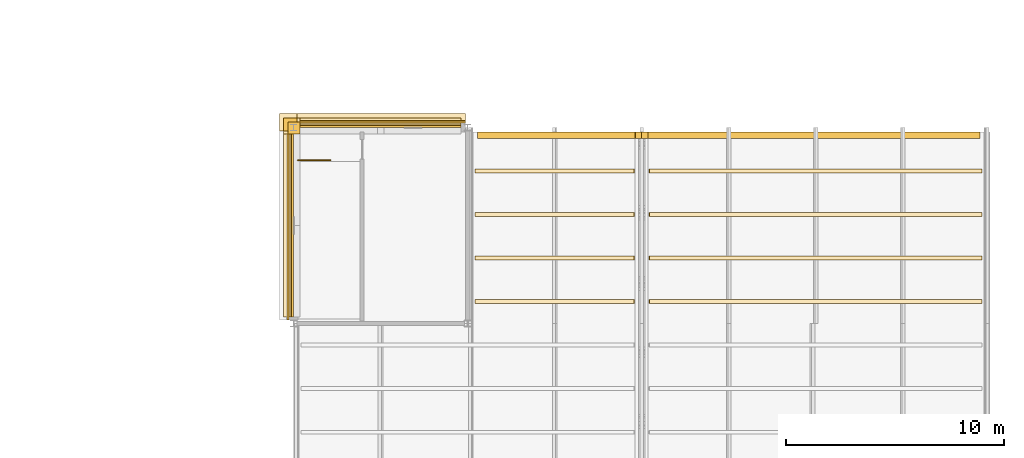
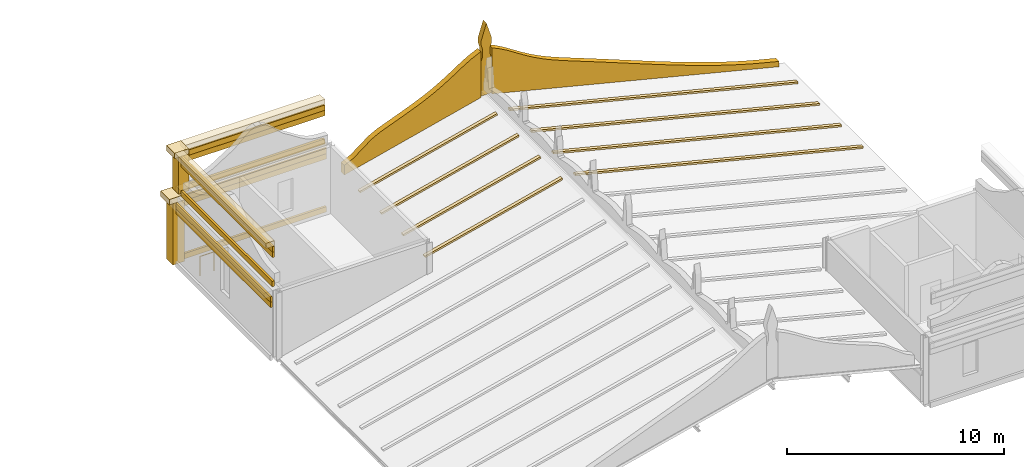
# One storey, part 107 of 111: 29 coverings, 1 railing.
"""IFC4 building model written with IfcOpenShell, lengths in metres."""

from ifc_helpers import new_model, si_unit, direction, frame, origin, origin_2d, place, context, subcontext, project, spatial, polyline, rectangle, circle, outline, extrude, material, layer, layer_set, type_object, element, save


model = new_model("IFC4")

# Units and contexts
model_context = context("Model", 3, precision=1e-05, world=origin(), true_north=direction((0.0, 1.0)))
body_context = subcontext(model_context, "Body", "Model", "MODEL_VIEW")
ifc_project = project(units=[si_unit("LENGTHUNIT", "METRE"), si_unit("AREAUNIT", "SQUARE_METRE"), si_unit("VOLUMEUNIT", "CUBIC_METRE"), si_unit("PLANEANGLEUNIT", "RADIAN"), si_unit("MASSUNIT", "GRAM", prefix="KILO")], contexts=[model_context])

# Site, building, storey
site_placement = place(None, origin())
site = spatial("IfcSite", under=ifc_project, at=site_placement, CompositionType="ELEMENT")
building_placement = place(site_placement, origin())
building = spatial("IfcBuilding", under=site, at=building_placement, Name="Kallimachos Central Library", CompositionType="ELEMENT")
storey_placement = place(building_placement, frame((0.0, 0.0, 14.39990234375)))
storey = spatial("IfcBuildingStorey", under=building, at=storey_placement, Name="L03", CompositionType="ELEMENT", Elevation=14.39990234375)

# Coverings
ifc_material_1 = material(Name="Glazed ceramic tile on stone", Category="masonry")
ifc_layer_1 = layer(ifc_material_1, 0.300048828125)
ifc_layer_set_1 = layer_set([ifc_layer_1], Name="Ceramic gable crest 300")
covering_type_1 = type_object("IfcCoveringType", Name="Ceramic gable crest 300", PredefinedType="CLADDING", material=ifc_layer_set_1)
covering_1_placement = place(storey_placement, frame((146.449951171875, 113.800048828125, 2.696533203125), z_axis=(0.0, 1.0, 0.0), x_axis=(0.899928137713, 0.0, 0.436038240241)))
element("IfcCovering", 1, at=covering_1_placement, inside=storey, type_object=covering_type_1, Name="Gable crest north west", PredefinedType="CLADDING", context=body_context, shape_type="SweptSolid", body=[
    extrude(outline(polyline([(0.0, 0.0), (0.5347106637847696, 2.7755575615628914e-17), (1.124039361969209, -0.11216485354760664), (1.7202808125849125, -0.23915666594946094), (2.2619110285219497, -0.2534377521192196), (2.776821127686384, -0.21257187477191009), (3.291518317553826, -0.17126657938860812), (3.807067144609239, -0.1317189561492762), (4.326242229434534, -0.09909556683732923), (4.852223612042597, -0.08107942736163354), (5.3894891873912805, -0.08635244379354434), (5.941452303953474, -0.12139943202445425), (6.506183178614236, -0.18335737509940708), (7.076023876402826, -0.25586135103818197), (7.6362836558267375, -0.30859151535729135), (8.169503954532559, -0.3055155891053434), (8.202949441260904, -0.3028748449976151), (7.077617352005189, 2.0196691842411427), (7.046088048949779, 2.0130736778094818), (6.560559432770358, 1.9115681114951966), (6.075030816590936, 1.8100625451809118), (5.589502200411515, 1.708556978866627), (5.104080038880591, 1.6068317035343453), (4.618331713683173, 1.505219682571564), (4.132803097503753, 1.4037141162572793), (3.6472744813243314, 1.302208549942994), (3.1616326107754107, 1.2003768199622167), (2.6761039945959895, 1.0988712536479315), (2.1905753784165682, 0.9973656873336466), (1.7050467622371477, 0.8958601210193616), (1.2195181460577267, 0.7943545547050768), (0.734095984526802, 0.6926292793727955), (0.2483476593293848, 0.5910172584100141), (-0.2371809568500362, 0.48951169209572915), (0.0, 0.0)])), origin(), (0.0, 0.0, -1.0), 0.300048828125),
])
covering_2_placement = place(storey_placement, frame((154.300048828125, 113.800048828125, 6.5458984375), z_axis=(0.0, 1.0, 0.0), x_axis=(0.914976424335, 0.0, -0.403507302177)))
element("IfcCovering", 2, at=covering_2_placement, inside=storey, type_object=covering_type_1, Name="Gable crest north east", PredefinedType="CLADDING", context=body_context, shape_type="SweptSolid", body=[
    extrude(outline(polyline([(0.0, 0.0), (0.3618177241457105, 0.0), (0.9124658375792205, 0.05547540100417803), (1.4778644718883722, 0.14500351778012166), (2.043164593672578, 0.23430825163996782), (2.598442795778534, 0.3002826497007284), (3.1400013990508375, 0.33575210078107687), (3.669738499329663, 0.34441560192972553), (4.19149608508789, 0.3349850868744766), (4.709017632273455, 0.31594910642703544), (5.224962979059889, 0.2933389993220339), (5.740908325846323, 0.27072889221703234), (6.257372593123691, 0.248690421335378), (6.774204552634637, 0.22809076047525423), (7.291430562245364, 0.20838463127952034), (7.809175492347026, 0.18925013830713322), (8.32669703953259, 0.17021415785969207), (8.843923049143317, 0.15050802866395818), (9.360656496129318, 0.12968498488773683), (9.876700355440697, 0.10729826069883286), (10.391660576977674, 0.08245432443285639), (10.905438648215304, 0.05492979317371027), (11.417962414494847, 0.02395600564815581), (11.928588084934216, -0.01071677892611067), (12.437144992349726, -0.050080604738425016), (12.943856519657473, -0.09423398431373187), (13.447783338400537, -0.14409680718262852), (13.948951806445125, -0.20021435170225477), (14.447263411266288, -0.26281000078870864), (14.94261964033908, -0.3321071373580873), (15.434035368414046, -0.4103395905713665), (15.923211666281468, -0.4942551292120294), (16.412066068707848, -0.578295538243843), (16.533137961866057, -0.3037579343600152), (16.044283559439677, -0.21971752532820155), (15.5552057740972, -0.13557860377144149), (15.066449884195766, -0.051314811823529816), (14.577595481769386, 0.03272559720828383), (14.088741079343006, 0.11676600624009836), (13.599886676916626, 0.200806415271912), (13.111032274490245, 0.28484682430372565), (12.622053001672715, 0.36920912877658285), (12.133198599246336, 0.4532495378083965), (11.644344196819958, 0.537289946840211), (11.155266411477479, 0.6214288683969702), (10.666510521576045, 0.7056926603448819), (10.177656119149667, 0.7897330693766955), (9.688801716723287, 0.8737734784085092), (9.199947314296907, 0.9578138874403237), (8.711092911870526, 1.0418542964721373), (8.222238509444148, 1.1258947055039514), (7.733259236626616, 1.2102570099768082), (7.244404834200237, 1.2942974190086223), (6.755550431773857, 1.3783378280404364), (6.266472646431381, 1.4624767495971955), (5.777618244005001, 1.5465171586290096), (5.288862354103567, 1.6307809505769209), (4.800007951677188, 1.714821359608735), (4.3111535492508075, 1.798861768640549), (3.8222991468244283, 1.8829021776723627), (3.3335432569229946, 1.9671659696202743), (2.844366959055572, 2.0510815082609364), (2.355611069154138, 2.135345300208848), (1.8667566667277584, 2.2193857092406617), (1.3776788813852812, 2.3035246307974213), (1.0413759012004948, 2.361380806066674), (0.0, 0.0)])), origin(), (0.0, 0.0, -1.0), 0.300048828125),
])
ifc_material_2 = material(Name="Glazed ceramic roll tile")
ifc_layer_2 = layer(ifc_material_2, 0.10009765625)
ifc_layer_set_2 = layer_set([ifc_layer_2], Name="Ceramic roll tile rib 180")
covering_type_2 = type_object("IfcCoveringType", Name="Ceramic roll tile rib 180", PredefinedType="ROOFING", material=ifc_layer_set_2)
for number, where, z_axis, x_axis, name in (
    (3, (146.35009765625, 105.909912109375, 2.230712890625), (-0.242535625036, 0.0, 0.970142500145), (0.970142500145, 0.0, 0.242535625036), "Roll tile rib"),
    (4, (146.35009765625, 107.909912109375, 2.230712890625), (-0.242535625036, 0.0, 0.970142500145), (0.970142500145, 0.0, 0.242535625036), "Roll tile rib"),
    (5, (146.35009765625, 109.909912109375, 2.230712890625), (-0.242535625036, 0.0, 0.970142500145), (0.970142500145, 0.0, 0.242535625036), "Roll tile rib"),
    (6, (146.35009765625, 111.909912109375, 2.230712890625), (-0.242535625036, 0.0, 0.970142500145), (0.970142500145, 0.0, 0.242535625036), "Roll tile rib"),
):
    element("IfcCovering", number, at=place(storey_placement, frame(where, z_axis=z_axis, x_axis=x_axis)), inside=storey, type_object=covering_type_2, Name=name, PredefinedType="ROOFING", context=body_context, shape_type="SweptSolid", body=[
        extrude(outline(polyline([(0.0, 0.0), (7.5244664432353545, 0.0), (7.5244664432353545, 0.18017578125), (0.0, 0.18017578125), (0.0, 0.0)])), origin(), (0.0, 0.0, -1.0), 0.10009765625),
    ])
for number, where, z_axis, x_axis, name in (
    (7, (154.35009765625, 105.909912109375, 4.0556640625), (0.242535625036, 0.0, 0.970142500145), (0.970142500145, 0.0, -0.242535625036), "Roll tile rib"),
    (8, (154.35009765625, 107.909912109375, 4.0556640625), (0.242535625036, 0.0, 0.970142500145), (0.970142500145, 0.0, -0.242535625036), "Roll tile rib"),
    (9, (154.35009765625, 109.909912109375, 4.0556640625), (0.242535625036, 0.0, 0.970142500145), (0.970142500145, 0.0, -0.242535625036), "Roll tile rib"),
    (10, (154.35009765625, 111.909912109375, 4.0556640625), (0.242535625036, 0.0, 0.970142500145), (0.970142500145, 0.0, -0.242535625036), "Roll tile rib"),
):
    element("IfcCovering", number, at=place(storey_placement, frame(where, z_axis=z_axis, x_axis=x_axis)), inside=storey, type_object=covering_type_2, Name=name, PredefinedType="ROOFING", context=body_context, shape_type="SweptSolid", body=[
        extrude(outline(polyline([(0.0, 0.0), (15.770677694470676, 0.0), (15.770677694470676, 0.18017578125), (0.0, 0.18017578125), (0.0, 0.0)])), origin(), (0.0, 0.0, -1.0), 0.10009765625),
    ])
ifc_material_3 = material(Name="Glazed ceramic frieze, green")
ifc_layer_3 = layer(ifc_material_3, 0.10009765625)
ifc_layer_set_3 = layer_set([ifc_layer_3], Name="Glazed ceramic frieze, green")
covering_type_3 = type_object("IfcCoveringType", Name="Glazed ceramic frieze, green", PredefinedType="CLADDING", material=ifc_layer_set_3)
covering_3_placement = place(storey_placement, frame((137.75, 109.5, 3.1298828125), z_axis=(0.0, 0.0, 1.0), x_axis=(1.0, 0.0, 0.0)))
element("IfcCovering", 11, at=covering_3_placement, inside=storey, type_object=covering_type_3, Name="Glazed ceramic frieze, green -L03-001", PredefinedType="CLADDING", context=body_context, shape_type="SweptSolid", body=[
    extrude(rectangle(XDim=0.10009765625, YDim=8.699951171875, at=origin_2d()), origin(), (0.0, 0.0, 1.0), 0.300048828125),
])
covering_4_placement = place(storey_placement, frame((142.02490234375, 114.25, 3.1298828125), z_axis=(0.0, 0.0, 1.0), x_axis=(1.0, 0.0, 0.0)))
element("IfcCovering", 12, at=covering_4_placement, inside=storey, type_object=covering_type_3, Name="Glazed ceramic frieze, green -L03-004", PredefinedType="CLADDING", context=body_context, shape_type="SweptSolid", body=[
    extrude(rectangle(XDim=7.75, YDim=0.10009765625, at=origin_2d()), origin(), (0.0, 0.0, 1.0), 0.300048828125),
])
covering_5_placement = place(storey_placement, frame((137.949951171875, 109.5, 5.7802734375), z_axis=(0.0, 0.0, 1.0), x_axis=(1.0, 0.0, 0.0)))
element("IfcCovering", 13, at=covering_5_placement, inside=storey, type_object=covering_type_3, Name="Glazed ceramic frieze, green -L03-016", PredefinedType="CLADDING", context=body_context, shape_type="SweptSolid", body=[
    extrude(rectangle(XDim=0.10009765625, YDim=8.39990234375, at=origin_2d()), origin(), (0.0, 0.0, 1.0), 0.300048828125),
])
covering_6_placement = place(storey_placement, frame((142.0, 114.050048828125, 5.751953125), z_axis=(0.0, 0.0, 1.0), x_axis=(1.0, 0.0, 0.0)))
element("IfcCovering", 14, at=covering_6_placement, inside=storey, type_object=covering_type_3, Name="Glazed ceramic frieze, green -L03-017", PredefinedType="CLADDING", context=body_context, shape_type="SweptSolid", body=[
    extrude(rectangle(XDim=7.39990234375, YDim=0.10009765625, at=origin_2d()), origin(), (0.0, 0.0, 1.0), 0.300048828125),
])
ifc_material_4 = material(Name="Glazed ceramic frieze, ochre")
ifc_layer_4 = layer(ifc_material_4, 0.10009765625)
ifc_layer_set_4 = layer_set([ifc_layer_4], Name="Glazed ceramic frieze, ochre")
covering_type_4 = type_object("IfcCoveringType", Name="Glazed ceramic frieze, ochre", PredefinedType="CLADDING", material=ifc_layer_set_4)
covering_7_placement = place(storey_placement, frame((137.75, 109.5, 2.830078125), z_axis=(0.0, 0.0, 1.0), x_axis=(1.0, 0.0, 0.0)))
element("IfcCovering", 15, at=covering_7_placement, inside=storey, type_object=covering_type_4, Name="Glazed ceramic frieze, ochre -L03-001", PredefinedType="CLADDING", context=body_context, shape_type="SweptSolid", body=[
    extrude(rectangle(XDim=0.10009765625, YDim=8.699951171875, at=origin_2d()), origin(), (0.0, 0.0, 1.0), 0.300048828125),
])
covering_8_placement = place(storey_placement, frame((142.02490234375, 114.25, 2.830078125), z_axis=(0.0, 0.0, 1.0), x_axis=(1.0, 0.0, 0.0)))
element("IfcCovering", 16, at=covering_8_placement, inside=storey, type_object=covering_type_4, Name="Glazed ceramic frieze, ochre -L03-004", PredefinedType="CLADDING", context=body_context, shape_type="SweptSolid", body=[
    extrude(rectangle(XDim=7.75, YDim=0.10009765625, at=origin_2d()), origin(), (0.0, 0.0, 1.0), 0.300048828125),
])
covering_9_placement = place(storey_placement, frame((137.949951171875, 109.5, 5.47998046875), z_axis=(0.0, 0.0, 1.0), x_axis=(1.0, 0.0, 0.0)))
element("IfcCovering", 17, at=covering_9_placement, inside=storey, type_object=covering_type_4, Name="Glazed ceramic frieze, ochre -L03-016", PredefinedType="CLADDING", context=body_context, shape_type="SweptSolid", body=[
    extrude(rectangle(XDim=0.10009765625, YDim=8.39990234375, at=origin_2d()), origin(), (0.0, 0.0, 1.0), 0.300048828125),
])
covering_10_placement = place(storey_placement, frame((142.0, 114.050048828125, 5.45166015625), z_axis=(0.0, 0.0, 1.0), x_axis=(1.0, 0.0, 0.0)))
element("IfcCovering", 18, at=covering_10_placement, inside=storey, type_object=covering_type_4, Name="Glazed ceramic frieze, ochre -L03-017", PredefinedType="CLADDING", context=body_context, shape_type="SweptSolid", body=[
    extrude(rectangle(XDim=7.39990234375, YDim=0.10009765625, at=origin_2d()), origin(), (0.0, 0.0, 1.0), 0.300048828125),
])

# Railing
ifc_material_5 = material(Name="Steel S355J2", Category="steel")
railing_type = type_object("IfcRailingType", Name="Stair guard 1100", PredefinedType="GUARDRAIL", material=ifc_material_5)
railing_placement = place(storey_placement, frame((138.199951171875, 112.5, 0.0)))
element("IfcRailing", 19, at=railing_placement, inside=storey, type_object=railing_type, Name="L03 ST8 top well guard 1", PredefinedType="GUARDRAIL", context=body_context, shape_type="SweptSolid", body=[
    extrude(circle(Radius=0.02392578125, at=origin_2d()), frame((0.0, 0.0, 1.076171875), z_axis=(1.0, 0.0, 0.0), x_axis=(0.0, 1.0, 0.0)), (0.0, 0.0, 1.0), 1.5),
    extrude(circle(Radius=0.02099609375, at=origin_2d()), origin(), (0.0, 0.0, 1.0), 1.052001953125),
    extrude(circle(Radius=0.02099609375, at=origin_2d()), frame((0.75, 0.0, 0.0)), (0.0, 0.0, 1.0), 1.052001953125),
    extrude(circle(Radius=0.02099609375, at=origin_2d()), frame((1.5, 0.0, 0.0)), (0.0, 0.0, 1.0), 1.052001953125),
])

# Coverings
ifc_material_6 = material(Name="Pentelic marble attic moulding", Category="masonry")
ifc_layer_5 = layer(ifc_material_6, 0.1201171875)
ifc_layer_set_5 = layer_set([ifc_layer_5], Name="Stone attic moulding 300")
covering_type_5 = type_object("IfcCoveringType", Name="Stone attic moulding 300", PredefinedType="MOLDING", material=ifc_layer_set_5)
covering_11_placement = place(storey_placement, frame((142.02490234375, 114.260009765625, -0.14990234375), z_axis=(0.0, 0.0, 1.0), x_axis=(1.0, 0.0, 0.0)))
element("IfcCovering", 20, at=covering_11_placement, inside=storey, type_object=covering_type_5, Name="Stone attic moulding 300 -L03-004", PredefinedType="MOLDING", context=body_context, shape_type="SweptSolid", body=[
    extrude(rectangle(XDim=7.75, YDim=0.1201171875, at=origin_2d()), origin(), (0.0, 0.0, 1.0), 0.300048828125),
])
covering_12_placement = place(storey_placement, frame((137.93994140625, 109.5, 3.85009765625), z_axis=(0.0, 0.0, 1.0), x_axis=(1.0, 0.0, 0.0)))
element("IfcCovering", 21, at=covering_12_placement, inside=storey, type_object=covering_type_5, Name="Stone attic moulding 300 -L03-016", PredefinedType="MOLDING", context=body_context, shape_type="SweptSolid", body=[
    extrude(rectangle(XDim=0.1201171875, YDim=8.39990234375, at=origin_2d()), origin(), (0.0, 0.0, 1.0), 0.300048828125),
])
covering_13_placement = place(storey_placement, frame((142.0, 114.06005859375, 3.85009765625), z_axis=(0.0, 0.0, 1.0), x_axis=(1.0, 0.0, 0.0)))
element("IfcCovering", 22, at=covering_13_placement, inside=storey, type_object=covering_type_5, Name="Stone attic moulding 300 -L03-017", PredefinedType="MOLDING", context=body_context, shape_type="SweptSolid", body=[
    extrude(rectangle(XDim=7.39990234375, YDim=0.1201171875, at=origin_2d()), origin(), (0.0, 0.0, 1.0), 0.300048828125),
])
ifc_material_7 = material(Name="Pentelic marble cornice", Category="masonry")
ifc_layer_6 = layer(ifc_material_7, 0.449951171875)
ifc_layer_set_6 = layer_set([ifc_layer_6], Name="Stone cornice 450")
covering_type_6 = type_object("IfcCoveringType", Name="Stone cornice 450", PredefinedType="MOLDING", material=ifc_layer_set_6)
covering_14_placement = place(storey_placement, frame((142.02490234375, 114.425048828125, 3.4501953125), z_axis=(0.0, 0.0, 1.0), x_axis=(1.0, 0.0, 0.0)))
element("IfcCovering", 23, at=covering_14_placement, inside=storey, type_object=covering_type_6, Name="Stone cornice 450 -L03-004", PredefinedType="MOLDING", context=body_context, shape_type="SweptSolid", body=[
    extrude(rectangle(XDim=7.75, YDim=0.449951171875, at=origin_2d()), origin(), (0.0, 0.0, 1.0), 0.300048828125),
])
covering_15_placement = place(storey_placement, frame((137.77490234375, 109.5, 6.10009765625), z_axis=(0.0, 0.0, 1.0), x_axis=(1.0, 0.0, 0.0)))
element("IfcCovering", 24, at=covering_15_placement, inside=storey, type_object=covering_type_6, Name="Stone cornice 450 -L03-016", PredefinedType="MOLDING", context=body_context, shape_type="SweptSolid", body=[
    extrude(rectangle(XDim=0.449951171875, YDim=8.39990234375, at=origin_2d()), origin(), (0.0, 0.0, 1.0), 0.300048828125),
])
covering_16_placement = place(storey_placement, frame((142.0, 114.22509765625, 6.07177734375), z_axis=(0.0, 0.0, 1.0), x_axis=(1.0, 0.0, 0.0)))
element("IfcCovering", 25, at=covering_16_placement, inside=storey, type_object=covering_type_6, Name="Stone cornice 450 -L03-017", PredefinedType="MOLDING", context=body_context, shape_type="SweptSolid", body=[
    extrude(rectangle(XDim=7.39990234375, YDim=0.449951171875, at=origin_2d()), origin(), (0.0, 0.0, 1.0), 0.300048828125),
])
covering_17_placement = place(storey_placement, frame((137.75, 114.25, 3.4501953125), z_axis=(0.0, 0.0, 1.0), x_axis=(1.0, 0.0, 0.0)))
element("IfcCovering", 26, at=covering_17_placement, inside=storey, type_object=covering_type_6, Name="Stone cornice 450 corner", PredefinedType="MOLDING", context=body_context, shape_type="SweptSolid", body=[
    extrude(rectangle(XDim=0.800048828125, YDim=0.800048828125, at=origin_2d()), origin(), (0.0, 0.0, 1.0), 0.300048828125),
])
covering_18_placement = place(storey_placement, frame((137.925048828125, 114.074951171875, 6.07177734375), z_axis=(0.0, 0.0, 1.0), x_axis=(1.0, 0.0, 0.0)))
element("IfcCovering", 27, at=covering_18_placement, inside=storey, type_object=covering_type_6, Name="Stone cornice 450 corner", PredefinedType="MOLDING", context=body_context, shape_type="SweptSolid", body=[
    extrude(rectangle(XDim=0.75, YDim=0.75, at=origin_2d()), origin(), (0.0, 0.0, 1.0), 0.300048828125),
])
ifc_material_8 = material(Name="Pentelic marble pinnacle", Category="masonry")
ifc_layer_7 = layer(ifc_material_8, 0.39990234375)
ifc_layer_set_7 = layer_set([ifc_layer_7], Name="Stone gable finial 400")
covering_type_7 = type_object("IfcCoveringType", Name="Stone gable finial 400", PredefinedType="MOLDING", material=ifc_layer_set_7)
covering_19_placement = place(storey_placement, frame((153.699951171875, 113.800048828125, 4.0400390625), z_axis=(0.0, 1.0, 0.0), x_axis=(0.0, 0.0, 1.0)))
element("IfcCovering", 28, at=covering_19_placement, inside=storey, type_object=covering_type_7, Name="Gable finial north", PredefinedType="MOLDING", context=body_context, shape_type="SweptSolid", body=[
    extrude(outline(polyline([(0.0, 0.0), (1.900146484375, 0.0), (2.199951171875, 0.10009765625), (2.60009765625, 0.10009765625), (2.85009765625, 0.02001953125), (3.10009765625, 0.02001953125), (4.0, 0.300048828125), (3.10009765625, 0.580078125), (2.85009765625, 0.580078125), (2.60009765625, 0.5), (2.199951171875, 0.5), (1.900146484375, 0.60009765625), (0.0, 0.60009765625), (0.0, 0.300048828125), (0.0, 0.0)])), origin(), (0.0, 0.0, -1.0), 0.300048828125),
])
ifc_material_9 = material(Name="Pentelic marble pilaster", Category="masonry")
ifc_layer_8 = layer(ifc_material_9, 0.25)
ifc_layer_set_8 = layer_set([ifc_layer_8], Name="Stone pilaster 250")
covering_type_8 = type_object("IfcCoveringType", Name="Stone pilaster 250", PredefinedType="CLADDING", material=ifc_layer_set_8)
covering_20_placement = place(storey_placement, frame((137.85009765625, 114.14990234375, 0.0), z_axis=(0.0, 0.0, 1.0), x_axis=(1.0, 0.0, 0.0)))
element("IfcCovering", 29, at=covering_20_placement, inside=storey, type_object=covering_type_8, Name="Stone pilaster 250 corner", PredefinedType="CLADDING", context=body_context, shape_type="SweptSolid", body=[
    extrude(rectangle(XDim=0.60009765625, YDim=0.60009765625, at=origin_2d()), origin(), (0.0, 0.0, 1.0), 3.449951171875),
])
covering_21_placement = place(storey_placement, frame((138.02490234375, 113.97509765625, 4.0), z_axis=(0.0, 0.0, 1.0), x_axis=(1.0, 0.0, 0.0)))
element("IfcCovering", 30, at=covering_21_placement, inside=storey, type_object=covering_type_8, Name="Stone pilaster 250 corner", PredefinedType="CLADDING", context=body_context, shape_type="SweptSolid", body=[
    extrude(rectangle(XDim=0.550048828125, YDim=0.550048828125, at=origin_2d()), origin(), (0.0, 0.0, 1.0), 2.07177734375),
])

save(model, "model.ifc")
